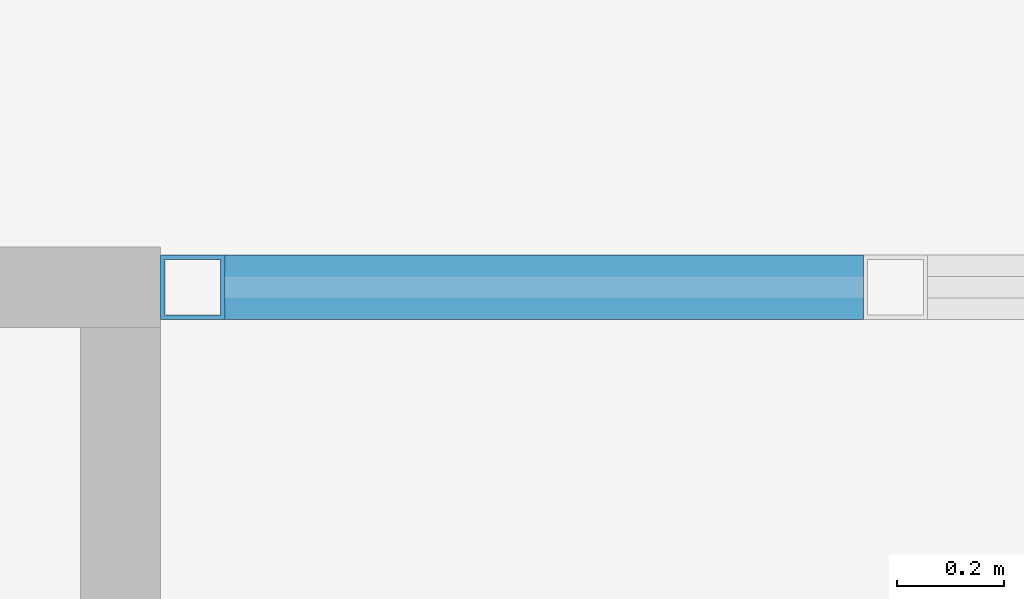
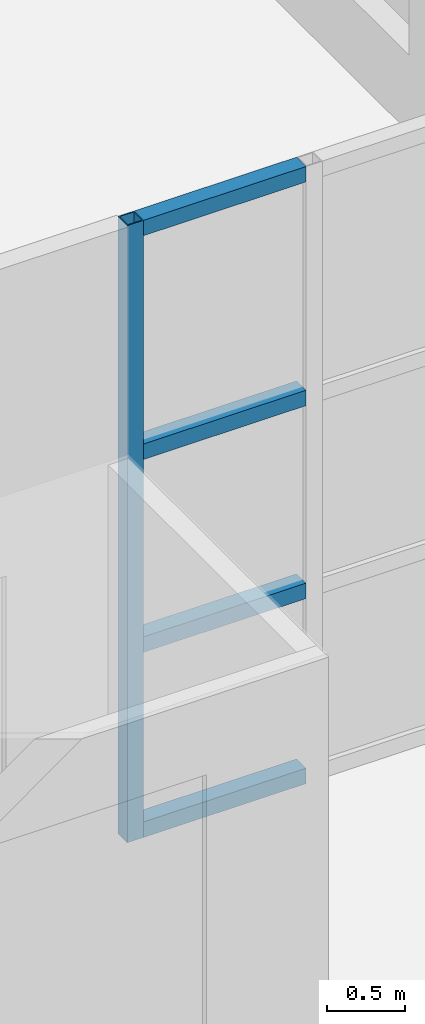
# One storey, part 57 of 168: 5 members, 1 element without a shape of its own.
"""IFC4 building model written with IfcOpenShell, lengths in metres."""

import ifcopenshell
import ifcopenshell.guid

model = None  # the IFC model being written
_history = None  # IfcOwnerHistory: only IFC2X3 demands one
_inside = {}  # id of a spatial element -> (the spatial element, [elements in it])
_under = {}  # id of a project, library or spatial element -> (it, [spatial elements below it])
_declared = {}  # id of a project -> (the project, [libraries it declares])
_typed = {}  # id of a type object -> (the type object, [elements of that type])
_made_of = {}  # id of a material, layer set ... -> (it, [elements and type objects made of it])


def new_model(schema):
    """Start an empty IFC model of exactly this schema.

    Asked for "IFC4X3", IfcOpenShell would pick the latest addendum, in which some entities
    have other attributes; the version numbers below select the first issue.
    IFC2X3 requires an IfcOwnerHistory on every rooted entity: one is made here for all.
    """
    global model, _history
    if schema == "IFC4X3":
        model = ifcopenshell.file(schema_version=(4, 3, 0, 0))
    else:
        model = ifcopenshell.file(schema=schema)
    _inside.clear()
    _under.clear()
    _declared.clear()
    _typed.clear()
    _made_of.clear()
    _history = None
    if model.schema == "IFC2X3":
        org = make("IfcOrganization", Name="unknown")
        user = make(
            "IfcPersonAndOrganization",
            ThePerson=make("IfcPerson", FamilyName="unknown"),
            TheOrganization=org,
        )
        app = make(
            "IfcApplication",
            ApplicationDeveloper=org,
            Version="unknown",
            ApplicationFullName="unknown",
            ApplicationIdentifier="unknown",
        )
        _history = make(
            "IfcOwnerHistory",
            OwningUser=user,
            OwningApplication=app,
            ChangeAction="ADDED",
            CreationDate=0,
        )
    return model


def make(cls, **values):
    """One entity of the class cls with the attributes given. An attribute that is None is left unset."""
    return model.create_entity(
        cls, **{name: value for name, value in values.items() if value is not None}
    )


def rooted(cls, **values):
    """An entity with a GlobalId (a new one), such as an element, a storey or a relation."""
    return make(cls, GlobalId=ifcopenshell.guid.new(), OwnerHistory=_history, **values)


def si_unit(unit_type, name, prefix=None):
    """IfcSIUnit, for example si_unit("LENGTHUNIT", "METRE", prefix="MILLI")."""
    return make("IfcSIUnit", UnitType=unit_type, Prefix=prefix, Name=name)


def assignment(units):
    """IfcUnitAssignment: the units of a project."""
    return None if units is None else make("IfcUnitAssignment", Units=units)


def point(xyz):
    """IfcCartesianPoint."""
    return None if xyz is None else make("IfcCartesianPoint", Coordinates=xyz)


def direction(xyz):
    """IfcDirection."""
    return None if xyz is None else make("IfcDirection", DirectionRatios=xyz)


def frame(location, z_axis=None, x_axis=None):
    """IfcAxis2Placement3D, a coordinate frame: its origin and axes. An axis left out is left unset."""
    return make(
        "IfcAxis2Placement3D",
        Location=point(location),
        Axis=direction(z_axis),
        RefDirection=direction(x_axis),
    )


def frame_2d(location, x_axis=None):
    """IfcAxis2Placement2D, a coordinate frame in the plane: its origin and x axis."""
    return make(
        "IfcAxis2Placement2D", Location=point(location), RefDirection=direction(x_axis)
    )


def origin():
    """The frame at (0, 0, 0) with its axes left unset."""
    return frame((0.0, 0.0, 0.0))


def origin_2d():
    """The frame at (0, 0) in the plane with its x axis left unset."""
    return frame_2d((0.0, 0.0))


def place(relative_to, where):
    """IfcLocalPlacement: puts the frame where relative to a parent placement (None: the world)."""
    return make(
        "IfcLocalPlacement", PlacementRelTo=relative_to, RelativePlacement=where
    )


def context(
    kind, dimensions, precision=None, world=None, true_north=None, identifier=None
):
    """IfcGeometricRepresentationContext, for example the 3D "Model" context."""
    return make(
        "IfcGeometricRepresentationContext",
        ContextIdentifier=identifier,
        ContextType=kind,
        CoordinateSpaceDimension=dimensions,
        Precision=precision,
        WorldCoordinateSystem=world,
        TrueNorth=true_north,
    )


def subcontext(parent, identifier, kind, view, scale=None):
    """IfcGeometricRepresentationSubContext, for example "Body" below "Model"."""
    return make(
        "IfcGeometricRepresentationSubContext",
        ContextIdentifier=identifier,
        ContextType=kind,
        ParentContext=parent,
        TargetScale=scale,
        TargetView=view,
    )


def project(units=None, contexts=None):
    """IfcProject with its units and contexts."""
    return rooted(
        "IfcProject",
        Name="project",
        RepresentationContexts=contexts,
        UnitsInContext=assignment(units),
    )


def spatial(cls, under=None, at=None, **own):
    """A site, building, storey or space (cls), placed at a placement, below another one or the project."""
    s = rooted(cls, ObjectPlacement=at, **own)
    if under is not None:
        _under.setdefault(under.id(), (under, []))[1].append(s)
    return s


def profile(cls, at=None, kind="AREA", **sizes):
    """A parametric profile (cls). Its sizes go by their IFC names, for example OverallWidth=200.0."""
    return make(cls, ProfileType=kind, Position=at, **sizes)


def hollow_rectangle(**sizes):
    """IfcRectangleHollowProfileDef."""
    return profile("IfcRectangleHollowProfileDef", **sizes)


def extrude(swept, where, along, depth):
    """IfcExtrudedAreaSolid: the profile swept, set in the frame where, extruded along a direction by depth."""
    return make(
        "IfcExtrudedAreaSolid",
        SweptArea=swept,
        Position=where,
        ExtrudedDirection=direction(along),
        Depth=depth,
    )


def shape(context_of_items, identifier, shape_type, items):
    """IfcShapeRepresentation: the items that make up one representation, for example the "Body"."""
    return make(
        "IfcShapeRepresentation",
        ContextOfItems=context_of_items,
        RepresentationIdentifier=identifier,
        RepresentationType=shape_type,
        Items=items,
    )


def material(Name=None, Category=None):
    """IfcMaterial."""
    return make("IfcMaterial", Name=Name, Category=Category)


def material_profile(
    of_material, cross_section, Name=None, Category=None, Priority=None
):
    """IfcMaterialProfile: a cross section and its material."""
    return make(
        "IfcMaterialProfile",
        Name=Name,
        Material=of_material,
        Profile=cross_section,
        Priority=Priority,
        Category=Category,
    )


def profile_set(profiles, Name=None, composite=None):
    """IfcMaterialProfileSet."""
    return make(
        "IfcMaterialProfileSet",
        Name=Name,
        MaterialProfiles=profiles,
        CompositeProfile=composite,
    )


def made_of(thing, what):
    """Note that an element or type object is made of a material, layer set ...; save() writes the relation."""
    if what is not None:
        _made_of.setdefault(what.id(), (what, []))[1].append(thing)
    return thing


def type_object(cls, material=None, **own):
    """A type object (cls), such as IfcWallType, which elements share."""
    return made_of(rooted(cls, **own), material)


def element(
    cls,
    number,
    at=None,
    inside=None,
    cuts=None,
    type_object=None,
    material=None,
    context=None,
    identifier="Body",
    shape_type=None,
    held_by="IfcProductDefinitionShape",
    body=None,
    shapes=None,
    **own,
):
    """One element of the class cls, such as IfcWall. Its Tag is "e" and its number.

    at: its placement. inside: the storey or other place that contains it. cuts: it is an
    opening in that element (IfcRelVoidsElement). A single representation is given by context,
    identifier, shape_type and body (its items); several are given by shapes. held_by: the class
    of the entity that holds the representations. save() writes the other relations.
    """
    e = rooted(cls, Tag="e%d" % number, ObjectPlacement=at, **own)
    if body is not None:
        shapes = [shape(context, identifier, shape_type, body)]
    if shapes is not None:
        e.Representation = make(held_by, Representations=shapes)
    if inside is not None:
        _inside.setdefault(inside.id(), (inside, []))[1].append(e)
    if cuts is not None:
        rooted(
            "IfcRelVoidsElement", RelatingBuildingElement=cuts, RelatedOpeningElement=e
        )
    if type_object is not None:
        _typed.setdefault(type_object.id(), (type_object, []))[1].append(e)
    return made_of(e, material)


def aggregate(whole, parts):
    """IfcRelAggregates: a whole, such as a stair, and the parts it consists of."""
    return rooted("IfcRelAggregates", RelatingObject=whole, RelatedObjects=parts)


def save(model, path):
    """Write the relations noted so far, then the file.

    IfcRelAggregates (storeys below a building ...), IfcRelContainedInSpatialStructure (elements
    in a storey), IfcRelDefinesByType, IfcRelAssociatesMaterial and IfcRelDeclares: one each for
    every whole, place, type object, material and project.
    """
    for whole, parts in _under.values():
        aggregate(whole, parts)
    for where, things in _inside.values():
        rooted(
            "IfcRelContainedInSpatialStructure",
            RelatedElements=things,
            RelatingStructure=where,
        )
    for kind, things in _typed.values():
        rooted("IfcRelDefinesByType", RelatedObjects=things, RelatingType=kind)
    for what, things in _made_of.values():
        rooted("IfcRelAssociatesMaterial", RelatedObjects=things, RelatingMaterial=what)
    for by, libraries in _declared.values():
        rooted("IfcRelDeclares", RelatingContext=by, RelatedDefinitions=libraries)
    model.write(path)


model = new_model("IFC4")

# Units and contexts
model_context = context("Model", 3, precision=1e-05, world=origin(), true_north=direction((0.0, 1.0)))
body_context = subcontext(model_context, "Body", "Model", "MODEL_VIEW")
ifc_project = project(units=[si_unit("LENGTHUNIT", "METRE"), si_unit("AREAUNIT", "SQUARE_METRE"), si_unit("VOLUMEUNIT", "CUBIC_METRE"), si_unit("PLANEANGLEUNIT", "RADIAN"), si_unit("MASSUNIT", "GRAM", prefix="KILO")], contexts=[model_context])

# Site, building, storey
site_placement = place(None, origin())
site = spatial("IfcSite", under=ifc_project, at=site_placement, CompositionType="ELEMENT")
building_placement = place(site_placement, origin())
building = spatial("IfcBuilding", under=site, at=building_placement, Name="Golden Quay Civic Hall", CompositionType="ELEMENT")
storey_placement = place(building_placement, origin())
storey = spatial("IfcBuildingStorey", under=building, at=storey_placement, Name="L00", CompositionType="ELEMENT", Elevation=0.0)

# Curtain wall, members
ifc_material_1 = material(Name="Fire-resisting glass and steel", Category="steel")
curtain_wall_type = type_object("IfcCurtainWallType", Name="Fire-resisting glazed curtain wall EI 120", PredefinedType="NOTDEFINED", material=ifc_material_1)
curtain_wall_placement = place(storey_placement, origin())
curtain_wall = element("IfcCurtainWall", 1, at=curtain_wall_placement, inside=storey, type_object=curtain_wall_type, Name="CW3 curtain wall", PredefinedType="NOTDEFINED")
ifc_material_2 = material(Name="Steel S355", Category="steel")
ifc_material_profile_1 = material_profile(ifc_material_2, hollow_rectangle(XDim=0.1201171875, YDim=0.1201171875, WallThickness=0.008056640625, at=origin_2d()), Name="SHS 120x120x8")
ifc_profile_set_1 = profile_set([ifc_material_profile_1], Name="Steel S355")
member_type_1 = type_object("IfcMemberType", Name="Fire-resisting steel mullion SHS 120x120x8", PredefinedType="MULLION", material=ifc_profile_set_1)
member_1_placement = place(storey_placement, frame((93.360107421875, 36.27001953125, 0.0), z_axis=(0.0, 0.0, 1.0), x_axis=(0.0, 1.0, 0.0)))
member_1 = element("IfcMember", 2, at=member_1_placement, type_object=member_type_1, Name="CW3 mullion 1", PredefinedType="MULLION", context=body_context, shape_type="SweptSolid", body=[
    extrude(hollow_rectangle(XDim=0.1201171875, YDim=0.1201171875, WallThickness=0.008056640625, at=origin_2d()), origin(), (0.0, 0.0, 1.0), 4.800048828125),
])
ifc_material_3 = material(Name="Steel S355", Category="steel")
ifc_material_profile_2 = material_profile(ifc_material_3, hollow_rectangle(XDim=0.1201171875, YDim=0.1201171875, WallThickness=0.008056640625, at=origin_2d()), Name="SHS 120x120x8")
ifc_profile_set_2 = profile_set([ifc_material_profile_2], Name="Steel S355")
member_type_2 = type_object("IfcMemberType", Name="Fire-resisting steel transom SHS 120x120x8", PredefinedType="USERDEFINED", material=ifc_profile_set_2)
member_2_placement = place(storey_placement, frame((93.419921875, 36.27001953125, 0.06005859375), z_axis=(1.0, 0.0, 0.0), x_axis=(0.0, 1.0, 0.0)))
member_2 = element("IfcMember", 3, at=member_2_placement, type_object=member_type_2, Name="CW3 transom 1.1", ObjectType="TRANSOM", PredefinedType="USERDEFINED", context=body_context, shape_type="SweptSolid", body=[
    extrude(hollow_rectangle(XDim=0.1201171875, YDim=0.1201171875, WallThickness=0.008056640625, at=origin_2d()), origin(), (0.0, 0.0, 1.0), 1.195068359375),
])
member_3_placement = place(storey_placement, frame((93.419921875, 36.27001953125, 1.5), z_axis=(1.0, 0.0, 0.0), x_axis=(0.0, 1.0, 0.0)))
member_3 = element("IfcMember", 4, at=member_3_placement, type_object=member_type_2, Name="CW3 transom 1.2", ObjectType="TRANSOM", PredefinedType="USERDEFINED", context=body_context, shape_type="SweptSolid", body=[
    extrude(hollow_rectangle(XDim=0.1201171875, YDim=0.1201171875, WallThickness=0.008056640625, at=origin_2d()), origin(), (0.0, 0.0, 1.0), 1.195068359375),
])
member_4_placement = place(storey_placement, frame((93.419921875, 36.27001953125, 3.0), z_axis=(1.0, 0.0, 0.0), x_axis=(0.0, 1.0, 0.0)))
member_4 = element("IfcMember", 5, at=member_4_placement, type_object=member_type_2, Name="CW3 transom 1.3", ObjectType="TRANSOM", PredefinedType="USERDEFINED", context=body_context, shape_type="SweptSolid", body=[
    extrude(hollow_rectangle(XDim=0.1201171875, YDim=0.1201171875, WallThickness=0.008056640625, at=origin_2d()), origin(), (0.0, 0.0, 1.0), 1.195068359375),
])
member_5_placement = place(storey_placement, frame((93.419921875, 36.27001953125, 4.739990234375), z_axis=(1.0, 0.0, 0.0), x_axis=(0.0, 1.0, 0.0)))
member_5 = element("IfcMember", 6, at=member_5_placement, type_object=member_type_2, Name="CW3 transom 1.4", ObjectType="TRANSOM", PredefinedType="USERDEFINED", context=body_context, shape_type="SweptSolid", body=[
    extrude(hollow_rectangle(XDim=0.1201171875, YDim=0.1201171875, WallThickness=0.008056640625, at=origin_2d()), origin(), (0.0, 0.0, 1.0), 1.195068359375),
])
aggregate(curtain_wall, [member_1, member_2, member_3, member_4, member_5])

save(model, "model.ifc")
